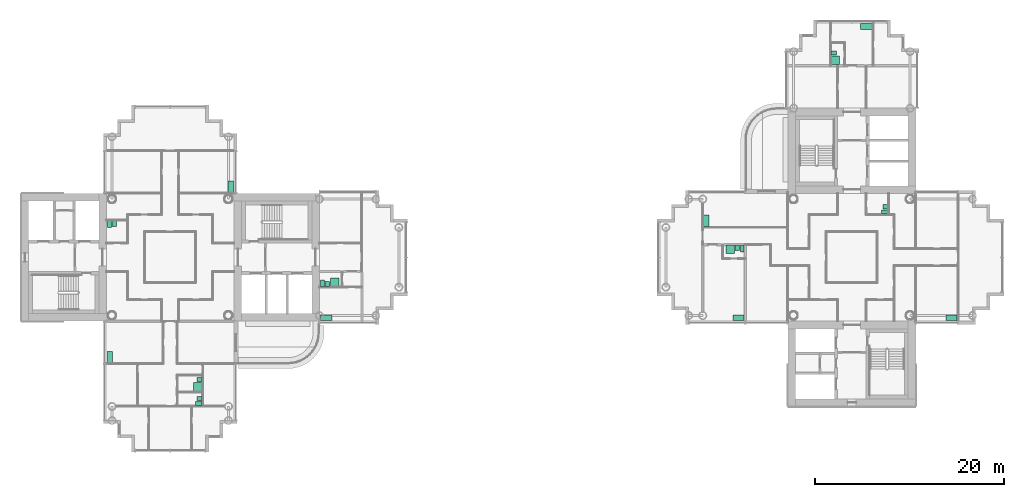
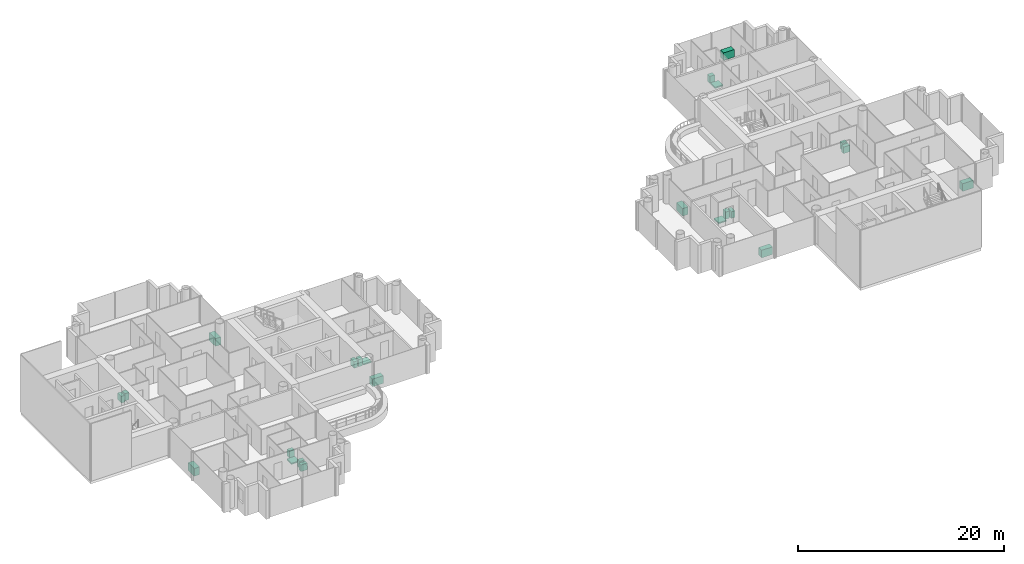
# One storey, part 19 of 19: 23 sanitary terminals.
"""IFC4 building model written with IfcOpenShell, lengths in metres."""

from ifc_helpers import new_model, si_unit, direction, frame, origin, origin_2d, place, context, subcontext, project, spatial, rectangle, extrude, material, type_object, element, save


model = new_model("IFC4")

# Units and contexts
model_context = context("Model", 3, precision=1e-05, world=origin(), true_north=direction((0.0, 1.0)))
body_context = subcontext(model_context, "Body", "Model", "MODEL_VIEW")
ifc_project = project(units=[si_unit("LENGTHUNIT", "METRE"), si_unit("AREAUNIT", "SQUARE_METRE"), si_unit("VOLUMEUNIT", "CUBIC_METRE"), si_unit("PLANEANGLEUNIT", "RADIAN"), si_unit("MASSUNIT", "GRAM", prefix="KILO")], contexts=[model_context])

# Site, building, storey
site_placement = place(None, origin())
site = spatial("IfcSite", under=ifc_project, at=site_placement, CompositionType="ELEMENT")
building_placement = place(site_placement, origin())
building = spatial("IfcBuilding", under=site, at=building_placement, Name="Ipe Terrace Towers", CompositionType="ELEMENT")
storey_placement = place(building_placement, frame((0.0, 0.0, 140.5)))
storey = spatial("IfcBuildingStorey", under=building, at=storey_placement, Name="L38", CompositionType="ELEMENT", Elevation=140.5)

# Sanitary terminals
ifc_material_1 = material(Name="Stainless sink unit", Category="metal")
sanitary_terminal_type_1 = type_object("IfcSanitaryTerminalType", Name="Kitchen sink unit", PredefinedType="SINK", material=ifc_material_1)
for number, where, z_axis, x_axis, name in (
    (1, (-29.6201171875, 7.469970703125, 0.0), (0.0, 0.0, 1.0), (0.0, -1.0, 0.0), "Kitchen sink unit"),
    (2, (-42.3798828125, -10.530029296875, 0.0), (0.0, 0.0, 1.0), (0.0, 1.0, 0.0), "Kitchen sink unit"),
    (3, (-19.530029296875, -6.3798828125, 0.0), (0.0, 0.0, 1.0), (-1.0, 0.0, 0.0), "Kitchen sink unit"),
    (4, (24.030029296875, -6.3798828125, 0.0), (0.0, 0.0, 1.0), (-1.0, 0.0, 0.0), "Kitchen sink unit"),
    (5, (20.6201171875, 3.8701171875, 0.0), (0.0, 0.0, 1.0), (0.0, 1.0, 0.0), "Kitchen sink unit"),
    (6, (46.530029296875, -6.3798828125, 0.0), (0.0, 0.0, 1.0), (-1.0, 0.0, 0.0), "Kitchen sink unit"),
    (7, (37.530029296875, 24.3798828125, 0.0), (0.0, 0.0, 1.0), (1.0, 0.0, 0.0), "Kitchen sink unit"),
):
    element("IfcSanitaryTerminal", number, at=place(storey_placement, frame(where, z_axis=z_axis, x_axis=x_axis)), inside=storey, type_object=sanitary_terminal_type_1, Name=name, PredefinedType="SINK", context=body_context, shape_type="SweptSolid", body=[
        extrude(rectangle(XDim=1.199951171875, YDim=0.60009765625, at=origin_2d()), origin(), (0.0, 0.0, 1.0), 0.89990234375),
    ])
ifc_material_2 = material(Name="Acrylic", Category="plastic")
sanitary_terminal_type_2 = type_object("IfcSanitaryTerminalType", Name="Shower tray", PredefinedType="SHOWER", material=ifc_material_2)
for number, where, z_axis, x_axis, name in (
    (8, (-33.070068359375, -13.679931640625, 0.0), (0.0, 0.0, 1.0), (-1.0, 0.0, 0.0), "Shower tray"),
    (9, (-18.6298828125, -2.6298828125, 0.0), (0.0, 0.0, 1.0), (0.0, 1.0, 0.0), "Shower tray"),
    (10, (23.1298828125, 0.830078125, 0.0), (0.0, 0.0, 1.0), (0.0, -1.0, 0.0), "Shower tray"),
    (11, (34.27001953125, 20.820068359375, 0.0), (0.0, 0.0, 1.0), (1.0, 0.0, 0.0), "Shower tray"),
):
    element("IfcSanitaryTerminal", number, at=place(storey_placement, frame(where, z_axis=z_axis, x_axis=x_axis)), inside=storey, type_object=sanitary_terminal_type_2, Name=name, PredefinedType="SHOWER", context=body_context, shape_type="SweptSolid", body=[
        extrude(rectangle(XDim=0.89990234375, YDim=0.89990234375, at=origin_2d()), origin(), (0.0, 0.0, 1.0), 0.14990234375),
    ])
ifc_material_3 = material(Name="Vitreous china", Category="ceramic")
sanitary_terminal_type_3 = type_object("IfcSanitaryTerminalType", Name="Wash basin", PredefinedType="WASHHANDBASIN", material=ifc_material_3)
for number, where, z_axis, x_axis, name in (
    (12, (-41.905029296875, 3.554931640625, 0.0), (0.0, 0.0, 1.0), (0.0, -1.0, 0.0), "Wash basin"),
    (13, (-32.89501953125, -12.905029296875, 0.0), (0.0, 0.0, 1.0), (-1.0, 0.0, 0.0), "Wash basin"),
    (14, (-32.89501953125, -14.905029296875, 0.0), (0.0, 0.0, 1.0), (-1.0, 0.0, 0.0), "Wash basin"),
    (15, (-19.405029296875, -2.804931640625, 0.0), (0.0, 0.0, 1.0), (0.0, 1.0, 0.0), "Wash basin"),
    (16, (39.554931640625, 5.344970703125, 0.0), (0.0, 0.0, 1.0), (-1.0, 0.0, 0.0), "Wash basin"),
    (17, (23.905029296875, 1.0048828125, 0.0), (0.0, 0.0, 1.0), (0.0, -1.0, 0.0), "Wash basin"),
    (18, (34.094970703125, 21.594970703125, 0.0), (0.0, 0.0, 1.0), (1.0, 0.0, 0.0), "Wash basin"),
):
    element("IfcSanitaryTerminal", number, at=place(storey_placement, frame(where, z_axis=z_axis, x_axis=x_axis)), inside=storey, type_object=sanitary_terminal_type_3, Name=name, PredefinedType="WASHHANDBASIN", context=body_context, shape_type="SweptSolid", body=[
        extrude(rectangle(XDim=0.550048828125, YDim=0.449951171875, at=origin_2d()), origin(), (0.0, 0.0, 1.0), 0.85009765625),
    ])
ifc_material_4 = material(Name="Vitreous china", Category="ceramic")
sanitary_terminal_type_4 = type_object("IfcSanitaryTerminalType", Name="Water closet", PredefinedType="TOILETPAN", material=ifc_material_4)
for number, where, z_axis, x_axis, name in (
    (19, (-42.429931640625, 3.47998046875, 0.0), (0.0, 0.0, 1.0), (0.0, -1.0, 0.0), "Water closet"),
    (20, (-32.969970703125, -15.429931640625, 0.0), (0.0, 0.0, 1.0), (-1.0, 0.0, 0.0), "Water closet"),
    (21, (-19.929931640625, -2.72998046875, 0.0), (0.0, 0.0, 1.0), (0.0, 1.0, 0.0), "Water closet"),
    (22, (39.47998046875, 4.820068359375, 0.0), (0.0, 0.0, 1.0), (-1.0, 0.0, 0.0), "Water closet"),
    (23, (24.429931640625, 0.929931640625, 0.0), (0.0, 0.0, 1.0), (0.0, -1.0, 0.0), "Water closet"),
):
    element("IfcSanitaryTerminal", number, at=place(storey_placement, frame(where, z_axis=z_axis, x_axis=x_axis)), inside=storey, type_object=sanitary_terminal_type_4, Name=name, PredefinedType="TOILETPAN", context=body_context, shape_type="SweptSolid", body=[
        extrude(rectangle(XDim=0.699951171875, YDim=0.39990234375, at=origin_2d()), origin(), (0.0, 0.0, 1.0), 0.780029296875),
    ])

save(model, "model.ifc")
